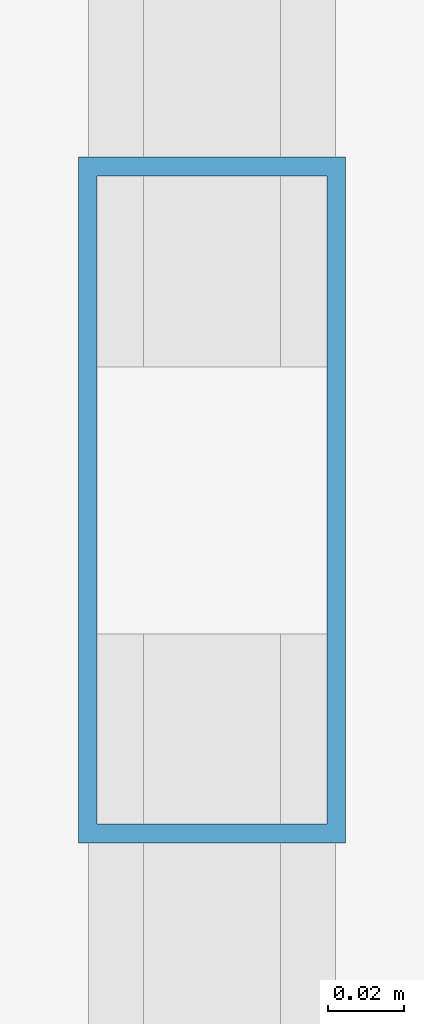
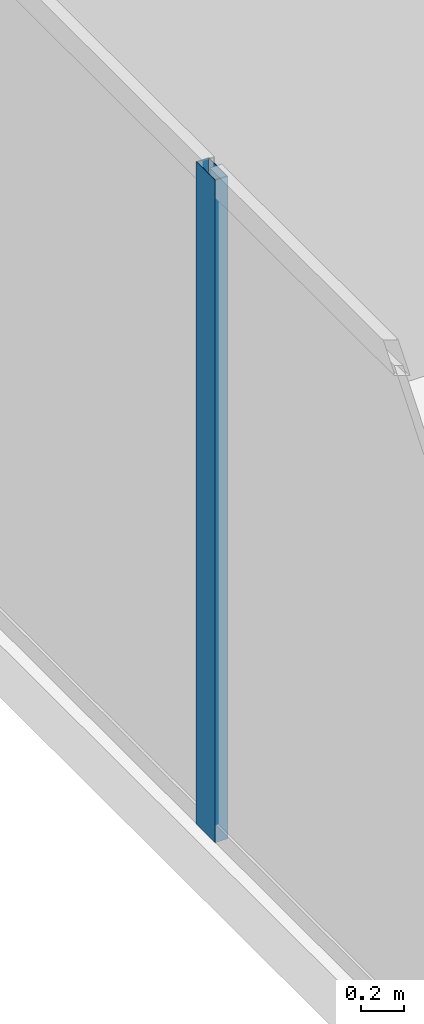
# One storey, part 9 of 33: 1 member, 1 element without a shape of its own.
"""IFC4 building model written with IfcOpenShell, lengths in metres."""

from ifc_helpers import new_model, si_unit, direction, frame, origin, origin_2d, place, context, subcontext, project, spatial, hollow_rectangle, extrude, source, transform, mapped, material, layer, layer_set, material_profile, profile_set, type_object, type_shapes, element, aggregate, save


model = new_model("IFC4")

# Units and contexts
model_context = context("Model", 3, precision=1e-05, world=origin(), true_north=direction((0.0, 1.0)))
body_context = subcontext(model_context, "Body", "Model", "MODEL_VIEW")
ifc_project = project(units=[si_unit("LENGTHUNIT", "METRE"), si_unit("AREAUNIT", "SQUARE_METRE"), si_unit("VOLUMEUNIT", "CUBIC_METRE"), si_unit("PLANEANGLEUNIT", "RADIAN"), si_unit("MASSUNIT", "GRAM", prefix="KILO")], contexts=[model_context])

# Site, building, storey
site_placement = place(None, origin())
site = spatial("IfcSite", under=ifc_project, at=site_placement, CompositionType="ELEMENT")
building_placement = place(site_placement, origin())
building = spatial("IfcBuilding", under=site, at=building_placement, Name="Haelvirn Gate Laboratories", CompositionType="ELEMENT")
storey_placement = place(building_placement, frame((0.0, 0.0, 271.10009765625)))
storey = spatial("IfcBuildingStorey", under=building, at=storey_placement, Name="L65", CompositionType="ELEMENT", Elevation=271.10009765625)

# Curtain wall, member
ifc_material_1 = material(Name="Anodised bronze unitised aluminium & triple low-E glass", Category="aluminium")
ifc_layer = layer(ifc_material_1, 0.176025390625, Name="CW-SYS-4")
ifc_layer_set = layer_set([ifc_layer], Name="Anodised bronze unitised aluminium & triple low-E glass")
curtain_wall_type = type_object("IfcCurtainWallType", Name="CW-SYS-4", PredefinedType="NOTDEFINED", material=ifc_layer_set)
curtain_wall_placement = place(storey_placement, origin())
curtain_wall = element("IfcCurtainWall", 1, at=curtain_wall_placement, inside=storey, type_object=curtain_wall_type, Name="L65 Unitised Curtain Wall CW-L65-P0-E17", PredefinedType="NOTDEFINED")
ifc_material_2 = material(Name="Extruded aluminium 6063-T6 (anodised bronze)", Category="aluminium")
ifc_material_profile = material_profile(ifc_material_2, hollow_rectangle(XDim=0.070068359375, YDim=0.179931640625, WallThickness=0.0048828125, at=origin_2d()), Name="CWM-180x70x5")
ifc_profile_set = profile_set([ifc_material_profile], Name="Extruded aluminium 6063-T6 (anodised bronze)")
member_type = type_object("IfcMemberType", Name="CWM-T180", PredefinedType="MULLION", material=ifc_profile_set)
shared_shape = source(origin(), body_context, "Body", "SweptSolid", [
    extrude(hollow_rectangle(XDim=0.070068359375, YDim=0.179931640625, WallThickness=0.0048828125, at=origin_2d()), origin(), (0.0, 0.0, 1.0), 3.7998046875),
])
type_shapes(member_type, [shared_shape])
member_placement = place(storey_placement, frame((4.10009765625, 24.300048828125, 0.0), z_axis=(0.0, 0.0, 1.0), x_axis=(1.0, 0.0, 0.0)))
member = element("IfcMember", 2, at=member_placement, type_object=member_type, Name="CW4 mullion 2", PredefinedType="MULLION", context=body_context, shape_type="MappedRepresentation", body=[
    mapped(shared_shape, transform((0.0, 0.0, 0.0), scale=1.0)),
])
aggregate(curtain_wall, [member])

save(model, "model.ifc")
